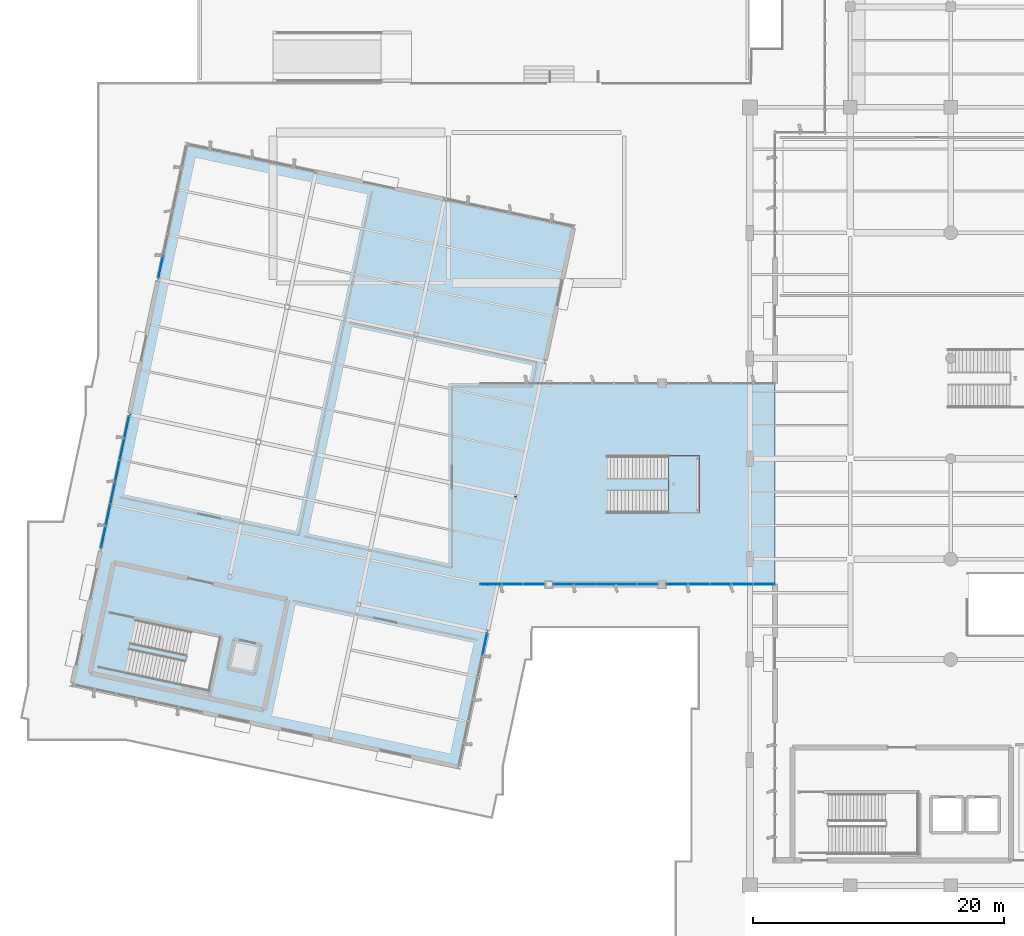
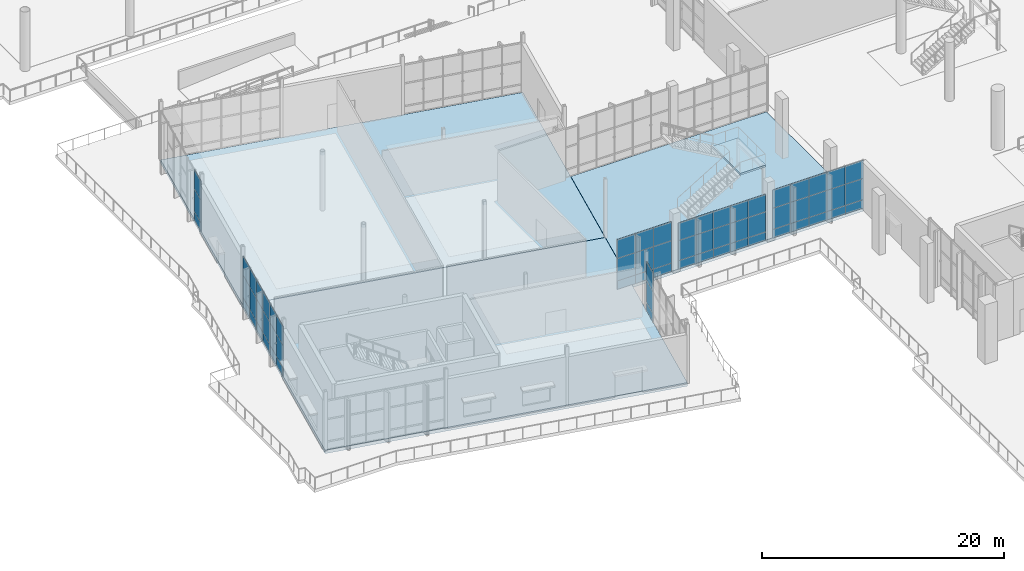
# One storey, part 111 of 163: 63 plates, 4 slabs, 7 elements without a shape of their own.
"""IFC4 building model written with IfcOpenShell, lengths in metres."""

from ifc_helpers import new_model, si_unit, direction, frame, origin, origin_2d, place, context, subcontext, project, spatial, polyline, rectangle, outline, extrude, material, layer, layer_set, type_object, element, aggregate, save


model = new_model("IFC4")

# Units and contexts
model_context = context("Model", 3, precision=1e-05, world=origin(), true_north=direction((0.0, 1.0)))
body_context = subcontext(model_context, "Body", "Model", "MODEL_VIEW")
ifc_project = project(units=[si_unit("LENGTHUNIT", "METRE"), si_unit("AREAUNIT", "SQUARE_METRE"), si_unit("VOLUMEUNIT", "CUBIC_METRE"), si_unit("PLANEANGLEUNIT", "RADIAN"), si_unit("MASSUNIT", "GRAM", prefix="KILO")], contexts=[model_context])

# Site, building, storey
site_placement = place(None, origin())
site = spatial("IfcSite", under=ifc_project, at=site_placement, CompositionType="ELEMENT")
building_placement = place(site_placement, origin())
building = spatial("IfcBuilding", under=site, at=building_placement, Name="Khorjan Park Terminus", CompositionType="ELEMENT")
storey_placement = place(building_placement, origin())
storey = spatial("IfcBuildingStorey", under=building, at=storey_placement, Name="L00", CompositionType="ELEMENT", Elevation=0.0)

# Curtain wall, plates
ifc_material_1 = material(Name="Anodized Bronze Aluminium", Category="aluminium")
ifc_layer_1 = layer(ifc_material_1, 0.22)
ifc_layer_set_1 = layer_set([ifc_layer_1], Name="Anodized Bronze Aluminium")
curtain_wall_type = type_object("IfcCurtainWallType", Name="CW-PAV-C", PredefinedType="NOTDEFINED", material=ifc_layer_set_1)
curtain_wall_1_placement = place(storey_placement, origin())
curtain_wall_1 = element("IfcCurtainWall", 1, at=curtain_wall_1_placement, inside=storey, type_object=curtain_wall_type, Name="Unitized curtain wall CW-C (CW-V4-W-L00-B03)", PredefinedType="NOTDEFINED")
ifc_material_2 = material(Name="Low-E Solar Control Double Glazing", Category="glass")
ifc_layer_2 = layer(ifc_material_2, 0.032)
ifc_layer_set_2 = layer_set([ifc_layer_2], Name="Low-E Solar Control Double Glazing")
plate_type_1 = type_object("IfcPlateType", Name="GL-VIS-32", PredefinedType="CURTAIN_PANEL", material=ifc_layer_set_2)
plate_1_placement = place(storey_placement, frame((-1.6391, 62.5164, 0.85), z_axis=(0.0, 0.0, 1.0), x_axis=(-0.207916776669, -0.978146519689, 0.0)))
plate_1 = element("IfcPlate", 2, at=plate_1_placement, type_object=plate_type_1, Name="Curtain-wall panel VP-32 (CW-V4-W-L00-B03-0-2)", PredefinedType="CURTAIN_PANEL", context=body_context, shape_type="SweptSolid", body=[
    extrude(rectangle(XDim=1.7899, YDim=0.032, at=origin_2d()), origin(), (0.0, 0.0, 1.0), 2.2593),
])
plate_2_placement = place(storey_placement, frame((-1.6391, 62.5164, 3.1092), z_axis=(0.0, 0.0, 1.0), x_axis=(-0.207916776669, -0.978146519689, 0.0)))
plate_2 = element("IfcPlate", 3, at=plate_2_placement, type_object=plate_type_1, Name="Curtain-wall panel VP-32 (CW-V4-W-L00-B03-0-3)", PredefinedType="CURTAIN_PANEL", context=body_context, shape_type="SweptSolid", body=[
    extrude(rectangle(XDim=1.7899, YDim=0.032, at=origin_2d()), origin(), (0.0, 0.0, 1.0), 1.9157),
])
plate_3_placement = place(storey_placement, frame((-2.0112, 60.7656, 0.85), z_axis=(0.0, 0.0, 1.0), x_axis=(-0.207916776669, -0.978146519689, 0.0)))
plate_3 = element("IfcPlate", 4, at=plate_3_placement, type_object=plate_type_1, Name="Curtain-wall panel VP-32 (CW-V4-W-L00-B03-1-2)", PredefinedType="CURTAIN_PANEL", context=body_context, shape_type="SweptSolid", body=[
    extrude(rectangle(XDim=1.7899, YDim=0.032, at=origin_2d()), origin(), (0.0, 0.0, 1.0), 2.2593),
])
plate_4_placement = place(storey_placement, frame((-2.0112, 60.7656, 3.1092), z_axis=(0.0, 0.0, 1.0), x_axis=(-0.207916776669, -0.978146519689, 0.0)))
plate_4 = element("IfcPlate", 5, at=plate_4_placement, type_object=plate_type_1, Name="Curtain-wall panel VP-32 (CW-V4-W-L00-B03-1-3)", PredefinedType="CURTAIN_PANEL", context=body_context, shape_type="SweptSolid", body=[
    extrude(rectangle(XDim=1.7899, YDim=0.032, at=origin_2d()), origin(), (0.0, 0.0, 1.0), 1.9157),
])
plate_5_placement = place(storey_placement, frame((-2.3834, 59.0148, 0.85), z_axis=(0.0, 0.0, 1.0), x_axis=(-0.207916776669, -0.978146519689, 0.0)))
plate_5 = element("IfcPlate", 6, at=plate_5_placement, type_object=plate_type_1, Name="Curtain-wall panel VP-32 (CW-V4-W-L00-B03-2-2)", PredefinedType="CURTAIN_PANEL", context=body_context, shape_type="SweptSolid", body=[
    extrude(rectangle(XDim=1.7899, YDim=0.032, at=origin_2d()), origin(), (0.0, 0.0, 1.0), 2.2593),
])
plate_6_placement = place(storey_placement, frame((-2.3834, 59.0148, 3.1092), z_axis=(0.0, 0.0, 1.0), x_axis=(-0.207916776669, -0.978146519689, 0.0)))
plate_6 = element("IfcPlate", 7, at=plate_6_placement, type_object=plate_type_1, Name="Curtain-wall panel VP-32 (CW-V4-W-L00-B03-2-3)", PredefinedType="CURTAIN_PANEL", context=body_context, shape_type="SweptSolid", body=[
    extrude(rectangle(XDim=1.7899, YDim=0.032, at=origin_2d()), origin(), (0.0, 0.0, 1.0), 1.9157),
])
plate_7_placement = place(storey_placement, frame((-2.7555, 57.264, 0.85), z_axis=(0.0, 0.0, 1.0), x_axis=(-0.207916776669, -0.978146519689, 0.0)))
plate_7 = element("IfcPlate", 8, at=plate_7_placement, type_object=plate_type_1, Name="Curtain-wall panel VP-32 (CW-V4-W-L00-B03-3-2)", PredefinedType="CURTAIN_PANEL", context=body_context, shape_type="SweptSolid", body=[
    extrude(rectangle(XDim=1.7899, YDim=0.032, at=origin_2d()), origin(), (0.0, 0.0, 1.0), 2.2593),
])
plate_8_placement = place(storey_placement, frame((-2.7555, 57.264, 3.1092), z_axis=(0.0, 0.0, 1.0), x_axis=(-0.207916776669, -0.978146519689, 0.0)))
plate_8 = element("IfcPlate", 9, at=plate_8_placement, type_object=plate_type_1, Name="Curtain-wall panel VP-32 (CW-V4-W-L00-B03-3-3)", PredefinedType="CURTAIN_PANEL", context=body_context, shape_type="SweptSolid", body=[
    extrude(rectangle(XDim=1.7899, YDim=0.032, at=origin_2d()), origin(), (0.0, 0.0, 1.0), 1.9157),
])
plate_9_placement = place(storey_placement, frame((-3.1277, 55.5133, 0.85), z_axis=(0.0, 0.0, 1.0), x_axis=(-0.207916776669, -0.978146519689, 0.0)))
plate_9 = element("IfcPlate", 10, at=plate_9_placement, type_object=plate_type_1, Name="Curtain-wall panel VP-32 (CW-V4-W-L00-B03-4-2)", PredefinedType="CURTAIN_PANEL", context=body_context, shape_type="SweptSolid", body=[
    extrude(rectangle(XDim=1.7899, YDim=0.032, at=origin_2d()), origin(), (0.0, 0.0, 1.0), 2.2593),
])
plate_10_placement = place(storey_placement, frame((-3.1277, 55.5133, 3.1092), z_axis=(0.0, 0.0, 1.0), x_axis=(-0.207916776669, -0.978146519689, 0.0)))
plate_10 = element("IfcPlate", 11, at=plate_10_placement, type_object=plate_type_1, Name="Curtain-wall panel VP-32 (CW-V4-W-L00-B03-4-3)", PredefinedType="CURTAIN_PANEL", context=body_context, shape_type="SweptSolid", body=[
    extrude(rectangle(XDim=1.7899, YDim=0.032, at=origin_2d()), origin(), (0.0, 0.0, 1.0), 1.9157),
])
plate_11_placement = place(storey_placement, frame((-3.4999, 53.7625, 0.85), z_axis=(0.0, 0.0, 1.0), x_axis=(-0.207916776669, -0.978146519689, 0.0)))
plate_11 = element("IfcPlate", 12, at=plate_11_placement, type_object=plate_type_1, Name="Curtain-wall panel VP-32 (CW-V4-W-L00-B03-5-2)", PredefinedType="CURTAIN_PANEL", context=body_context, shape_type="SweptSolid", body=[
    extrude(rectangle(XDim=1.7899, YDim=0.032, at=origin_2d()), origin(), (0.0, 0.0, 1.0), 2.2593),
])
plate_12_placement = place(storey_placement, frame((-3.4999, 53.7625, 3.1092), z_axis=(0.0, 0.0, 1.0), x_axis=(-0.207916776669, -0.978146519689, 0.0)))
plate_12 = element("IfcPlate", 13, at=plate_12_placement, type_object=plate_type_1, Name="Curtain-wall panel VP-32 (CW-V4-W-L00-B03-5-3)", PredefinedType="CURTAIN_PANEL", context=body_context, shape_type="SweptSolid", body=[
    extrude(rectangle(XDim=1.7899, YDim=0.032, at=origin_2d()), origin(), (0.0, 0.0, 1.0), 1.9157),
])

curtain_wall_2_placement = place(storey_placement, origin())
curtain_wall_2 = element("IfcCurtainWall", 14, at=curtain_wall_2_placement, inside=storey, type_object=curtain_wall_type, Name="Unitized curtain wall CW-C (CW-V4L-S-L00-1)", PredefinedType="NOTDEFINED")
ifc_material_3 = material(Name="Acoustic Laminated Solar Glazing", Category="glass")
ifc_layer_3 = layer(ifc_material_3, 0.036)
ifc_layer_set_3 = layer_set([ifc_layer_3], Name="Acoustic Laminated Solar Glazing")
plate_type_2 = type_object("IfcPlateType", Name="GL-VIS-36", PredefinedType="CURTAIN_PANEL", material=ifc_layer_set_3)
plate_13_placement = place(storey_placement, frame((27.3616, 50.0, 0.85), z_axis=(0.0, 0.0, 1.0), x_axis=(1.0, 0.0, 0.0)))
plate_13 = element("IfcPlate", 15, at=plate_13_placement, type_object=plate_type_2, Name="Curtain-wall panel VP-36 (CW-V4L-S-L00-1-0-2)", PredefinedType="CURTAIN_PANEL", context=body_context, shape_type="SweptSolid", body=[
    extrude(rectangle(XDim=1.7233, YDim=0.036, at=origin_2d()), origin(), (0.0, 0.0, 1.0), 2.2655),
])
plate_14_placement = place(storey_placement, frame((27.3616, 50.0, 3.1156), z_axis=(0.0, 0.0, 1.0), x_axis=(1.0, 0.0, 0.0)))
plate_14 = element("IfcPlate", 16, at=plate_14_placement, type_object=plate_type_2, Name="Curtain-wall panel VP-36 (CW-V4L-S-L00-1-0-3)", PredefinedType="CURTAIN_PANEL", context=body_context, shape_type="SweptSolid", body=[
    extrude(rectangle(XDim=1.7233, YDim=0.036, at=origin_2d()), origin(), (0.0, 0.0, 1.0), 1.9195),
])
plate_15_placement = place(storey_placement, frame((29.085, 50.0, 0.85), z_axis=(0.0, 0.0, 1.0), x_axis=(1.0, 0.0, 0.0)))
plate_15 = element("IfcPlate", 17, at=plate_15_placement, type_object=plate_type_2, Name="Curtain-wall panel VP-36 (CW-V4L-S-L00-1-1-2)", PredefinedType="CURTAIN_PANEL", context=body_context, shape_type="SweptSolid", body=[
    extrude(rectangle(XDim=1.7233, YDim=0.036, at=origin_2d()), origin(), (0.0, 0.0, 1.0), 2.2655),
])
plate_16_placement = place(storey_placement, frame((29.085, 50.0, 3.1156), z_axis=(0.0, 0.0, 1.0), x_axis=(1.0, 0.0, 0.0)))
plate_16 = element("IfcPlate", 18, at=plate_16_placement, type_object=plate_type_2, Name="Curtain-wall panel VP-36 (CW-V4L-S-L00-1-1-3)", PredefinedType="CURTAIN_PANEL", context=body_context, shape_type="SweptSolid", body=[
    extrude(rectangle(XDim=1.7233, YDim=0.036, at=origin_2d()), origin(), (0.0, 0.0, 1.0), 1.9195),
])
plate_17_placement = place(storey_placement, frame((30.8084, 50.0, 0.85), z_axis=(0.0, 0.0, 1.0), x_axis=(1.0, 0.0, 0.0)))
plate_17 = element("IfcPlate", 19, at=plate_17_placement, type_object=plate_type_2, Name="Curtain-wall panel VP-36 (CW-V4L-S-L00-1-2-2)", PredefinedType="CURTAIN_PANEL", context=body_context, shape_type="SweptSolid", body=[
    extrude(rectangle(XDim=1.7233, YDim=0.036, at=origin_2d()), origin(), (0.0, 0.0, 1.0), 2.2655),
])
plate_18_placement = place(storey_placement, frame((30.8084, 50.0, 3.1156), z_axis=(0.0, 0.0, 1.0), x_axis=(1.0, 0.0, 0.0)))
plate_18 = element("IfcPlate", 20, at=plate_18_placement, type_object=plate_type_2, Name="Curtain-wall panel VP-36 (CW-V4L-S-L00-1-2-3)", PredefinedType="CURTAIN_PANEL", context=body_context, shape_type="SweptSolid", body=[
    extrude(rectangle(XDim=1.7233, YDim=0.036, at=origin_2d()), origin(), (0.0, 0.0, 1.0), 1.9195),
])

curtain_wall_3_placement = place(storey_placement, origin())
curtain_wall_3 = element("IfcCurtainWall", 21, at=curtain_wall_3_placement, inside=storey, type_object=curtain_wall_type, Name="Unitized curtain wall CW-C (CW-V4L-S-L00-2)", PredefinedType="NOTDEFINED")
plate_19_placement = place(storey_placement, frame((33.164, 50.0, 0.85), z_axis=(0.0, 0.0, 1.0), x_axis=(1.0, 0.0, 0.0)))
plate_19 = element("IfcPlate", 22, at=plate_19_placement, type_object=plate_type_2, Name="Curtain-wall panel VP-36 (CW-V4L-S-L00-2-0-2)", PredefinedType="CURTAIN_PANEL", context=body_context, shape_type="SweptSolid", body=[
    extrude(rectangle(XDim=1.668, YDim=0.036, at=origin_2d()), origin(), (0.0, 0.0, 1.0), 2.0299),
])
plate_20_placement = place(storey_placement, frame((33.164, 50.0, 2.8798), z_axis=(0.0, 0.0, 1.0), x_axis=(1.0, 0.0, 0.0)))
plate_20 = element("IfcPlate", 23, at=plate_20_placement, type_object=plate_type_2, Name="Curtain-wall panel VP-36 (CW-V4L-S-L00-2-0-3)", PredefinedType="CURTAIN_PANEL", context=body_context, shape_type="SweptSolid", body=[
    extrude(rectangle(XDim=1.668, YDim=0.036, at=origin_2d()), origin(), (0.0, 0.0, 1.0), 1.7751),
])
plate_21_placement = place(storey_placement, frame((34.832, 50.0, 0.85), z_axis=(0.0, 0.0, 1.0), x_axis=(1.0, 0.0, 0.0)))
plate_21 = element("IfcPlate", 24, at=plate_21_placement, type_object=plate_type_2, Name="Curtain-wall panel VP-36 (CW-V4L-S-L00-2-1-2)", PredefinedType="CURTAIN_PANEL", context=body_context, shape_type="SweptSolid", body=[
    extrude(rectangle(XDim=1.668, YDim=0.036, at=origin_2d()), origin(), (0.0, 0.0, 1.0), 2.0299),
])
plate_22_placement = place(storey_placement, frame((34.832, 50.0, 2.8798), z_axis=(0.0, 0.0, 1.0), x_axis=(1.0, 0.0, 0.0)))
plate_22 = element("IfcPlate", 25, at=plate_22_placement, type_object=plate_type_2, Name="Curtain-wall panel VP-36 (CW-V4L-S-L00-2-1-3)", PredefinedType="CURTAIN_PANEL", context=body_context, shape_type="SweptSolid", body=[
    extrude(rectangle(XDim=1.668, YDim=0.036, at=origin_2d()), origin(), (0.0, 0.0, 1.0), 1.7751),
])
plate_23_placement = place(storey_placement, frame((36.5, 50.0, 0.85), z_axis=(0.0, 0.0, 1.0), x_axis=(1.0, 0.0, 0.0)))
plate_23 = element("IfcPlate", 26, at=plate_23_placement, type_object=plate_type_2, Name="Curtain-wall panel VP-36 (CW-V4L-S-L00-2-2-2)", PredefinedType="CURTAIN_PANEL", context=body_context, shape_type="SweptSolid", body=[
    extrude(rectangle(XDim=1.668, YDim=0.036, at=origin_2d()), origin(), (0.0, 0.0, 1.0), 2.0299),
])
plate_24_placement = place(storey_placement, frame((36.5, 50.0, 2.8798), z_axis=(0.0, 0.0, 1.0), x_axis=(1.0, 0.0, 0.0)))
plate_24 = element("IfcPlate", 27, at=plate_24_placement, type_object=plate_type_2, Name="Curtain-wall panel VP-36 (CW-V4L-S-L00-2-2-3)", PredefinedType="CURTAIN_PANEL", context=body_context, shape_type="SweptSolid", body=[
    extrude(rectangle(XDim=1.668, YDim=0.036, at=origin_2d()), origin(), (0.0, 0.0, 1.0), 1.7751),
])
plate_25_placement = place(storey_placement, frame((38.168, 50.0, 0.85), z_axis=(0.0, 0.0, 1.0), x_axis=(1.0, 0.0, 0.0)))
plate_25 = element("IfcPlate", 28, at=plate_25_placement, type_object=plate_type_2, Name="Curtain-wall panel VP-36 (CW-V4L-S-L00-2-3-2)", PredefinedType="CURTAIN_PANEL", context=body_context, shape_type="SweptSolid", body=[
    extrude(rectangle(XDim=1.668, YDim=0.036, at=origin_2d()), origin(), (0.0, 0.0, 1.0), 2.0299),
])
plate_26_placement = place(storey_placement, frame((38.168, 50.0, 2.8798), z_axis=(0.0, 0.0, 1.0), x_axis=(1.0, 0.0, 0.0)))
plate_26 = element("IfcPlate", 29, at=plate_26_placement, type_object=plate_type_2, Name="Curtain-wall panel VP-36 (CW-V4L-S-L00-2-3-3)", PredefinedType="CURTAIN_PANEL", context=body_context, shape_type="SweptSolid", body=[
    extrude(rectangle(XDim=1.668, YDim=0.036, at=origin_2d()), origin(), (0.0, 0.0, 1.0), 1.7751),
])
plate_27_placement = place(storey_placement, frame((39.836, 50.0, 0.85), z_axis=(0.0, 0.0, 1.0), x_axis=(1.0, 0.0, 0.0)))
plate_27 = element("IfcPlate", 30, at=plate_27_placement, type_object=plate_type_2, Name="Curtain-wall panel VP-36 (CW-V4L-S-L00-2-4-2)", PredefinedType="CURTAIN_PANEL", context=body_context, shape_type="SweptSolid", body=[
    extrude(rectangle(XDim=1.668, YDim=0.036, at=origin_2d()), origin(), (0.0, 0.0, 1.0), 2.0299),
])
plate_28_placement = place(storey_placement, frame((39.836, 50.0, 2.8798), z_axis=(0.0, 0.0, 1.0), x_axis=(1.0, 0.0, 0.0)))
plate_28 = element("IfcPlate", 31, at=plate_28_placement, type_object=plate_type_2, Name="Curtain-wall panel VP-36 (CW-V4L-S-L00-2-4-3)", PredefinedType="CURTAIN_PANEL", context=body_context, shape_type="SweptSolid", body=[
    extrude(rectangle(XDim=1.668, YDim=0.036, at=origin_2d()), origin(), (0.0, 0.0, 1.0), 1.7751),
])

curtain_wall_4_placement = place(storey_placement, origin())
curtain_wall_4 = element("IfcCurtainWall", 32, at=curtain_wall_4_placement, inside=storey, type_object=curtain_wall_type, Name="Unitized curtain wall CW-C (CW-V4L-S-L00-3)", PredefinedType="NOTDEFINED")
plate_29_placement = place(storey_placement, frame((42.197, 50.0, 0.8499), z_axis=(0.0, 0.0, 1.0), x_axis=(1.0, 0.0, 0.0)))
plate_29 = element("IfcPlate", 33, at=plate_29_placement, type_object=plate_type_2, Name="Curtain-wall panel VP-36 (CW-V4L-S-L00-3-0-2)", PredefinedType="CURTAIN_PANEL", context=body_context, shape_type="SweptSolid", body=[
    extrude(rectangle(XDim=1.734, YDim=0.036, at=origin_2d()), origin(), (0.0, 0.0, 1.0), 2.1415),
])
plate_30_placement = place(storey_placement, frame((42.197, 50.0, 2.9914), z_axis=(0.0, 0.0, 1.0), x_axis=(1.0, 0.0, 0.0)))
plate_30 = element("IfcPlate", 34, at=plate_30_placement, type_object=plate_type_2, Name="Curtain-wall panel VP-36 (CW-V4L-S-L00-3-0-3)", PredefinedType="CURTAIN_PANEL", context=body_context, shape_type="SweptSolid", body=[
    extrude(rectangle(XDim=1.734, YDim=0.036, at=origin_2d()), origin(), (0.0, 0.0, 1.0), 1.8435),
])
plate_31_placement = place(storey_placement, frame((43.931, 50.0, 0.8499), z_axis=(0.0, 0.0, 1.0), x_axis=(1.0, 0.0, 0.0)))
plate_31 = element("IfcPlate", 35, at=plate_31_placement, type_object=plate_type_2, Name="Curtain-wall panel VP-36 (CW-V4L-S-L00-3-1-2)", PredefinedType="CURTAIN_PANEL", context=body_context, shape_type="SweptSolid", body=[
    extrude(rectangle(XDim=1.734, YDim=0.036, at=origin_2d()), origin(), (0.0, 0.0, 1.0), 2.1415),
])
plate_32_placement = place(storey_placement, frame((43.931, 50.0, 2.9914), z_axis=(0.0, 0.0, 1.0), x_axis=(1.0, 0.0, 0.0)))
plate_32 = element("IfcPlate", 36, at=plate_32_placement, type_object=plate_type_2, Name="Curtain-wall panel VP-36 (CW-V4L-S-L00-3-1-3)", PredefinedType="CURTAIN_PANEL", context=body_context, shape_type="SweptSolid", body=[
    extrude(rectangle(XDim=1.734, YDim=0.036, at=origin_2d()), origin(), (0.0, 0.0, 1.0), 1.8435),
])
plate_33_placement = place(storey_placement, frame((45.665, 50.0, 0.8499), z_axis=(0.0, 0.0, 1.0), x_axis=(1.0, 0.0, 0.0)))
plate_33 = element("IfcPlate", 37, at=plate_33_placement, type_object=plate_type_2, Name="Curtain-wall panel VP-36 (CW-V4L-S-L00-3-2-2)", PredefinedType="CURTAIN_PANEL", context=body_context, shape_type="SweptSolid", body=[
    extrude(rectangle(XDim=1.734, YDim=0.036, at=origin_2d()), origin(), (0.0, 0.0, 1.0), 2.1415),
])
plate_34_placement = place(storey_placement, frame((45.665, 50.0, 2.9914), z_axis=(0.0, 0.0, 1.0), x_axis=(1.0, 0.0, 0.0)))
plate_34 = element("IfcPlate", 38, at=plate_34_placement, type_object=plate_type_2, Name="Curtain-wall panel VP-36 (CW-V4L-S-L00-3-2-3)", PredefinedType="CURTAIN_PANEL", context=body_context, shape_type="SweptSolid", body=[
    extrude(rectangle(XDim=1.734, YDim=0.036, at=origin_2d()), origin(), (0.0, 0.0, 1.0), 1.8435),
])
plate_35_placement = place(storey_placement, frame((47.399, 50.0, 0.8499), z_axis=(0.0, 0.0, 1.0), x_axis=(1.0, 0.0, 0.0)))
plate_35 = element("IfcPlate", 39, at=plate_35_placement, type_object=plate_type_2, Name="Curtain-wall panel VP-36 (CW-V4L-S-L00-3-3-2)", PredefinedType="CURTAIN_PANEL", context=body_context, shape_type="SweptSolid", body=[
    extrude(rectangle(XDim=1.734, YDim=0.036, at=origin_2d()), origin(), (0.0, 0.0, 1.0), 2.1415),
])
plate_36_placement = place(storey_placement, frame((47.399, 50.0, 2.9914), z_axis=(0.0, 0.0, 1.0), x_axis=(1.0, 0.0, 0.0)))
plate_36 = element("IfcPlate", 40, at=plate_36_placement, type_object=plate_type_2, Name="Curtain-wall panel VP-36 (CW-V4L-S-L00-3-3-3)", PredefinedType="CURTAIN_PANEL", context=body_context, shape_type="SweptSolid", body=[
    extrude(rectangle(XDim=1.734, YDim=0.036, at=origin_2d()), origin(), (0.0, 0.0, 1.0), 1.8435),
])
plate_37_placement = place(storey_placement, frame((49.133, 50.0, 0.8499), z_axis=(0.0, 0.0, 1.0), x_axis=(1.0, 0.0, 0.0)))
plate_37 = element("IfcPlate", 41, at=plate_37_placement, type_object=plate_type_2, Name="Curtain-wall panel VP-36 (CW-V4L-S-L00-3-4-2)", PredefinedType="CURTAIN_PANEL", context=body_context, shape_type="SweptSolid", body=[
    extrude(rectangle(XDim=1.734, YDim=0.036, at=origin_2d()), origin(), (0.0, 0.0, 1.0), 2.1415),
])
plate_38_placement = place(storey_placement, frame((49.133, 50.0, 2.9914), z_axis=(0.0, 0.0, 1.0), x_axis=(1.0, 0.0, 0.0)))
plate_38 = element("IfcPlate", 42, at=plate_38_placement, type_object=plate_type_2, Name="Curtain-wall panel VP-36 (CW-V4L-S-L00-3-4-3)", PredefinedType="CURTAIN_PANEL", context=body_context, shape_type="SweptSolid", body=[
    extrude(rectangle(XDim=1.734, YDim=0.036, at=origin_2d()), origin(), (0.0, 0.0, 1.0), 1.8435),
])

curtain_wall_5_placement = place(storey_placement, origin())
curtain_wall_5 = element("IfcCurtainWall", 43, at=curtain_wall_5_placement, inside=storey, type_object=curtain_wall_type, Name="Unitized curtain wall CW-C (CW-V4-E-L00-B01)", PredefinedType="NOTDEFINED")
plate_39_placement = place(storey_placement, frame((26.8855, 45.2075, 0.8499), z_axis=(0.0, 0.0, 1.0), x_axis=(0.207916776669, 0.978146519689, 0.0)))
plate_39 = element("IfcPlate", 44, at=plate_39_placement, type_object=plate_type_2, Name="Curtain-wall panel VP-36 (CW-V4-E-L00-B01-5-2)", PredefinedType="CURTAIN_PANEL", context=body_context, shape_type="SweptSolid", body=[
    extrude(rectangle(XDim=1.7899, YDim=0.036, at=origin_2d()), origin(), (0.0, 0.0, 1.0), 2.2345),
])
plate_40_placement = place(storey_placement, frame((26.8855, 45.2075, 3.0844), z_axis=(0.0, 0.0, 1.0), x_axis=(0.207916776669, 0.978146519689, 0.0)))
plate_40 = element("IfcPlate", 45, at=plate_40_placement, type_object=plate_type_2, Name="Curtain-wall panel VP-36 (CW-V4-E-L00-B01-5-3)", PredefinedType="CURTAIN_PANEL", context=body_context, shape_type="SweptSolid", body=[
    extrude(rectangle(XDim=1.7899, YDim=0.036, at=origin_2d()), origin(), (0.0, 0.0, 1.0), 1.9005),
])

curtain_wall_6_placement = place(storey_placement, origin())
curtain_wall_6 = element("IfcCurtainWall", 46, at=curtain_wall_6_placement, inside=storey, type_object=curtain_wall_type, Name="Unitized curtain wall CW-C (CW-V4-W-L00-B01)", PredefinedType="NOTDEFINED")
plate_41_placement = place(storey_placement, frame((1.0742, 75.2815, 0.85), z_axis=(0.0, 0.0, 1.0), x_axis=(-0.207916776669, -0.978146519689, 0.0)))
plate_41 = element("IfcPlate", 47, at=plate_41_placement, type_object=plate_type_2, Name="Curtain-wall panel VP-36 (CW-V4-W-L00-B01-5-2)", PredefinedType="CURTAIN_PANEL", context=body_context, shape_type="SweptSolid", body=[
    extrude(rectangle(XDim=1.7899, YDim=0.036, at=origin_2d()), origin(), (0.0, 0.0, 1.0), 2.2903),
])
plate_42_placement = place(storey_placement, frame((1.0742, 75.2815, 3.1402), z_axis=(0.0, 0.0, 1.0), x_axis=(-0.207916776669, -0.978146519689, 0.0)))
plate_42 = element("IfcPlate", 48, at=plate_42_placement, type_object=plate_type_2, Name="Curtain-wall panel VP-36 (CW-V4-W-L00-B01-5-3)", PredefinedType="CURTAIN_PANEL", context=body_context, shape_type="SweptSolid", body=[
    extrude(rectangle(XDim=1.7899, YDim=0.036, at=origin_2d()), origin(), (0.0, 0.0, 1.0), 1.9347),
])

# Slabs
ifc_material_4 = material(Name="Concrete C40/50", Category="concrete")
ifc_layer_4 = layer(ifc_material_4, 0.34)
ifc_layer_set_4 = layer_set([ifc_layer_4], Name="Concrete C40/50")
slab_type_1 = type_object("IfcSlabType", Name="SL-FLR-340", PredefinedType="FLOOR", material=ifc_layer_set_4)
slab_1_placement = place(storey_placement, frame((0.0, 0.0, -0.34)))
element("IfcSlab", 49, at=slab_1_placement, inside=storey, type_object=slab_type_1, Name="Structural floor slab FS-34 (L00-V4-N)", PredefinedType="FLOOR", context=body_context, shape_type="SweptSolid", body=[
    extrude(outline(polyline([(3.1481, 85.0385), (33.9598, 78.4893), (29.3857, 56.97), (-1.4259, 63.5192), (3.1481, 85.0385)])), origin(), (0.0, 0.0, 1.0), 0.34),
])
slab_2_placement = place(storey_placement, frame((0.0, 0.0, -0.34)))
element("IfcSlab", 50, at=slab_2_placement, inside=storey, type_object=slab_type_1, Name="Structural floor slab FS-34 (L00-V4-LNK)", PredefinedType="FLOOR", context=body_context, shape_type="SweptSolid", body=[
    extrude(outline(polyline([(50.0, 50.0), (27.9144, 50.0), (31.3153, 66.0), (50.0, 66.0), (50.0, 50.0)])), origin(), (0.0, 0.0, 1.0), 0.34),
])
ifc_layer_5 = layer(ifc_material_4, 0.36)
ifc_layer_set_5 = layer_set([ifc_layer_5], Name="Concrete C40/50")
slab_type_2 = type_object("IfcSlabType", Name="SL-FLR-360", PredefinedType="FLOOR", material=ifc_layer_set_5)
slab_3_placement = place(storey_placement, frame((0.0, 0.0, -0.36)))
element("IfcSlab", 51, at=slab_3_placement, inside=storey, type_object=slab_type_2, Name="Structural floor slab FS-36 (L00-V4-S)", PredefinedType="FLOOR", context=body_context, shape_type="SweptSolid", body=[
    extrude(outline(polyline([(-1.4259, 63.5192), (29.3857, 56.97), (24.8116, 35.4508), (-6.0, 42.0), (-1.4259, 63.5192)])), origin(), (0.0, 0.0, 1.0), 0.36),
])

# Stair, slab
stair_type = type_object("IfcStairType", Name="STR-PUB-190", PredefinedType="HALF_TURN_STAIR", material=ifc_material_4)
stair_placement = place(storey_placement, origin())
stair = element("IfcStair", 52, at=stair_placement, inside=storey, type_object=stair_type, Name="Public passenger half-turn stair PVS-01", PredefinedType="HALF_TURN_STAIR")
ifc_layer_6 = layer(ifc_material_4, 0.2)
ifc_layer_set_6 = layer_set([ifc_layer_6], Name="Concrete C40/50")
slab_type_3 = type_object("IfcSlabType", Name="SL-LND-200", PredefinedType="LANDING", material=ifc_layer_set_6)
slab_4_placement = place(storey_placement, frame((0.0, 0.0, 2.8)))
slab_4 = element("IfcSlab", 53, at=slab_4_placement, type_object=slab_type_3, Name="Stair PVS-01 intermediate half-landing LS-20", PredefinedType="LANDING", context=body_context, shape_type="SweptSolid", body=[
    extrude(outline(polyline([(41.515, 55.66), (43.98, 55.66), (43.98, 60.24), (41.515, 60.24), (41.515, 55.66)])), origin(), (0.0, 0.0, 1.0), 0.2),
])
aggregate(stair, [slab_4])

# Plate
ifc_material_5 = material(Name="Insulated Anodized Bronze Spandrel Panel")
ifc_layer_7 = layer(ifc_material_5, 0.045)
ifc_layer_set_7 = layer_set([ifc_layer_7], Name="Insulated Anodized Bronze Spandrel Panel")
plate_type_3 = type_object("IfcPlateType", Name="SP-AL-45", PredefinedType="CURTAIN_PANEL", material=ifc_layer_set_7)
plate_43_placement = place(storey_placement, frame((27.3616, 50.0, -0.01), z_axis=(0.0, 0.0, 1.0), x_axis=(1.0, 0.0, 0.0)))
plate_43 = element("IfcPlate", 54, at=plate_43_placement, type_object=plate_type_3, Name="Curtain-wall panel SP-A45 (CW-V4L-S-L00-1-0-1)", PredefinedType="CURTAIN_PANEL", context=body_context, shape_type="SweptSolid", body=[
    extrude(rectangle(XDim=1.7233, YDim=0.045, at=origin_2d()), origin(), (0.0, 0.0, 1.0), 0.86),
])

plate_44_placement = place(storey_placement, frame((29.085, 50.0, -0.01), z_axis=(0.0, 0.0, 1.0), x_axis=(1.0, 0.0, 0.0)))
plate_44 = element("IfcPlate", 55, at=plate_44_placement, type_object=plate_type_3, Name="Curtain-wall panel SP-A45 (CW-V4L-S-L00-1-1-1)", PredefinedType="CURTAIN_PANEL", context=body_context, shape_type="SweptSolid", body=[
    extrude(rectangle(XDim=1.7233, YDim=0.045, at=origin_2d()), origin(), (0.0, 0.0, 1.0), 0.86),
])

plate_45_placement = place(storey_placement, frame((30.8084, 50.0, -0.01), z_axis=(0.0, 0.0, 1.0), x_axis=(1.0, 0.0, 0.0)))
plate_45 = element("IfcPlate", 56, at=plate_45_placement, type_object=plate_type_3, Name="Curtain-wall panel SP-A45 (CW-V4L-S-L00-1-2-1)", PredefinedType="CURTAIN_PANEL", context=body_context, shape_type="SweptSolid", body=[
    extrude(rectangle(XDim=1.7233, YDim=0.045, at=origin_2d()), origin(), (0.0, 0.0, 1.0), 0.86),
])

aggregate(curtain_wall_2, [plate_43, plate_13, plate_14, plate_44, plate_15, plate_16, plate_45, plate_17, plate_18])

plate_46_placement = place(storey_placement, frame((33.164, 50.0, -0.01), z_axis=(0.0, 0.0, 1.0), x_axis=(1.0, 0.0, 0.0)))
plate_46 = element("IfcPlate", 57, at=plate_46_placement, type_object=plate_type_3, Name="Curtain-wall panel SP-A45 (CW-V4L-S-L00-2-0-1)", PredefinedType="CURTAIN_PANEL", context=body_context, shape_type="SweptSolid", body=[
    extrude(rectangle(XDim=1.668, YDim=0.045, at=origin_2d()), origin(), (0.0, 0.0, 1.0), 0.86),
])

plate_47_placement = place(storey_placement, frame((34.832, 50.0, -0.01), z_axis=(0.0, 0.0, 1.0), x_axis=(1.0, 0.0, 0.0)))
plate_47 = element("IfcPlate", 58, at=plate_47_placement, type_object=plate_type_3, Name="Curtain-wall panel SP-A45 (CW-V4L-S-L00-2-1-1)", PredefinedType="CURTAIN_PANEL", context=body_context, shape_type="SweptSolid", body=[
    extrude(rectangle(XDim=1.668, YDim=0.045, at=origin_2d()), origin(), (0.0, 0.0, 1.0), 0.86),
])

plate_48_placement = place(storey_placement, frame((36.5, 50.0, -0.01), z_axis=(0.0, 0.0, 1.0), x_axis=(1.0, 0.0, 0.0)))
plate_48 = element("IfcPlate", 59, at=plate_48_placement, type_object=plate_type_3, Name="Curtain-wall panel SP-A45 (CW-V4L-S-L00-2-2-1)", PredefinedType="CURTAIN_PANEL", context=body_context, shape_type="SweptSolid", body=[
    extrude(rectangle(XDim=1.668, YDim=0.045, at=origin_2d()), origin(), (0.0, 0.0, 1.0), 0.86),
])

plate_49_placement = place(storey_placement, frame((38.168, 50.0, -0.01), z_axis=(0.0, 0.0, 1.0), x_axis=(1.0, 0.0, 0.0)))
plate_49 = element("IfcPlate", 60, at=plate_49_placement, type_object=plate_type_3, Name="Curtain-wall panel SP-A45 (CW-V4L-S-L00-2-3-1)", PredefinedType="CURTAIN_PANEL", context=body_context, shape_type="SweptSolid", body=[
    extrude(rectangle(XDim=1.668, YDim=0.045, at=origin_2d()), origin(), (0.0, 0.0, 1.0), 0.86),
])

plate_50_placement = place(storey_placement, frame((39.836, 50.0, -0.01), z_axis=(0.0, 0.0, 1.0), x_axis=(1.0, 0.0, 0.0)))
plate_50 = element("IfcPlate", 61, at=plate_50_placement, type_object=plate_type_3, Name="Curtain-wall panel SP-A45 (CW-V4L-S-L00-2-4-1)", PredefinedType="CURTAIN_PANEL", context=body_context, shape_type="SweptSolid", body=[
    extrude(rectangle(XDim=1.668, YDim=0.045, at=origin_2d()), origin(), (0.0, 0.0, 1.0), 0.86),
])

aggregate(curtain_wall_3, [plate_46, plate_19, plate_20, plate_47, plate_21, plate_22, plate_48, plate_23, plate_24, plate_49, plate_25, plate_26, plate_50, plate_27, plate_28])

plate_51_placement = place(storey_placement, frame((42.197, 50.0, -0.01), z_axis=(0.0, 0.0, 1.0), x_axis=(1.0, 0.0, 0.0)))
plate_51 = element("IfcPlate", 62, at=plate_51_placement, type_object=plate_type_3, Name="Curtain-wall panel SP-A45 (CW-V4L-S-L00-3-0-1)", PredefinedType="CURTAIN_PANEL", context=body_context, shape_type="SweptSolid", body=[
    extrude(rectangle(XDim=1.734, YDim=0.045, at=origin_2d()), origin(), (0.0, 0.0, 1.0), 0.86),
])

plate_52_placement = place(storey_placement, frame((43.931, 50.0, -0.01), z_axis=(0.0, 0.0, 1.0), x_axis=(1.0, 0.0, 0.0)))
plate_52 = element("IfcPlate", 63, at=plate_52_placement, type_object=plate_type_3, Name="Curtain-wall panel SP-A45 (CW-V4L-S-L00-3-1-1)", PredefinedType="CURTAIN_PANEL", context=body_context, shape_type="SweptSolid", body=[
    extrude(rectangle(XDim=1.734, YDim=0.045, at=origin_2d()), origin(), (0.0, 0.0, 1.0), 0.86),
])

plate_53_placement = place(storey_placement, frame((45.665, 50.0, -0.01), z_axis=(0.0, 0.0, 1.0), x_axis=(1.0, 0.0, 0.0)))
plate_53 = element("IfcPlate", 64, at=plate_53_placement, type_object=plate_type_3, Name="Curtain-wall panel SP-A45 (CW-V4L-S-L00-3-2-1)", PredefinedType="CURTAIN_PANEL", context=body_context, shape_type="SweptSolid", body=[
    extrude(rectangle(XDim=1.734, YDim=0.045, at=origin_2d()), origin(), (0.0, 0.0, 1.0), 0.86),
])

plate_54_placement = place(storey_placement, frame((47.399, 50.0, -0.01), z_axis=(0.0, 0.0, 1.0), x_axis=(1.0, 0.0, 0.0)))
plate_54 = element("IfcPlate", 65, at=plate_54_placement, type_object=plate_type_3, Name="Curtain-wall panel SP-A45 (CW-V4L-S-L00-3-3-1)", PredefinedType="CURTAIN_PANEL", context=body_context, shape_type="SweptSolid", body=[
    extrude(rectangle(XDim=1.734, YDim=0.045, at=origin_2d()), origin(), (0.0, 0.0, 1.0), 0.86),
])

plate_55_placement = place(storey_placement, frame((49.133, 50.0, -0.01), z_axis=(0.0, 0.0, 1.0), x_axis=(1.0, 0.0, 0.0)))
plate_55 = element("IfcPlate", 66, at=plate_55_placement, type_object=plate_type_3, Name="Curtain-wall panel SP-A45 (CW-V4L-S-L00-3-4-1)", PredefinedType="CURTAIN_PANEL", context=body_context, shape_type="SweptSolid", body=[
    extrude(rectangle(XDim=1.734, YDim=0.045, at=origin_2d()), origin(), (0.0, 0.0, 1.0), 0.86),
])

aggregate(curtain_wall_4, [plate_51, plate_29, plate_30, plate_52, plate_31, plate_32, plate_53, plate_33, plate_34, plate_54, plate_35, plate_36, plate_55, plate_37, plate_38])

plate_56_placement = place(storey_placement, frame((26.8855, 45.2075, -0.01), z_axis=(0.0, 0.0, 1.0), x_axis=(0.207916776669, 0.978146519689, 0.0)))
plate_56 = element("IfcPlate", 67, at=plate_56_placement, type_object=plate_type_3, Name="Curtain-wall panel SP-A45 (CW-V4-E-L00-B01-5-1)", PredefinedType="CURTAIN_PANEL", context=body_context, shape_type="SweptSolid", body=[
    extrude(rectangle(XDim=1.7899, YDim=0.045, at=origin_2d()), origin(), (0.0, 0.0, 1.0), 0.86),
])

aggregate(curtain_wall_5, [plate_56, plate_39, plate_40])

plate_57_placement = place(storey_placement, frame((1.0742, 75.2815, -0.01), z_axis=(0.0, 0.0, 1.0), x_axis=(-0.207916776669, -0.978146519689, 0.0)))
plate_57 = element("IfcPlate", 68, at=plate_57_placement, type_object=plate_type_3, Name="Curtain-wall panel SP-A45 (CW-V4-W-L00-B01-5-1)", PredefinedType="CURTAIN_PANEL", context=body_context, shape_type="SweptSolid", body=[
    extrude(rectangle(XDim=1.7899, YDim=0.045, at=origin_2d()), origin(), (0.0, 0.0, 1.0), 0.86),
])

aggregate(curtain_wall_6, [plate_57, plate_41, plate_42])

plate_58_placement = place(storey_placement, frame((-1.6391, 62.5164, -0.01), z_axis=(0.0, 0.0, 1.0), x_axis=(-0.207916776669, -0.978146519689, 0.0)))
plate_58 = element("IfcPlate", 69, at=plate_58_placement, type_object=plate_type_3, Name="Curtain-wall panel SP-A45 (CW-V4-W-L00-B03-0-1)", PredefinedType="CURTAIN_PANEL", context=body_context, shape_type="SweptSolid", body=[
    extrude(rectangle(XDim=1.7899, YDim=0.045, at=origin_2d()), origin(), (0.0, 0.0, 1.0), 0.86),
])

plate_59_placement = place(storey_placement, frame((-2.0112, 60.7656, -0.01), z_axis=(0.0, 0.0, 1.0), x_axis=(-0.207916776669, -0.978146519689, 0.0)))
plate_59 = element("IfcPlate", 70, at=plate_59_placement, type_object=plate_type_3, Name="Curtain-wall panel SP-A45 (CW-V4-W-L00-B03-1-1)", PredefinedType="CURTAIN_PANEL", context=body_context, shape_type="SweptSolid", body=[
    extrude(rectangle(XDim=1.7899, YDim=0.045, at=origin_2d()), origin(), (0.0, 0.0, 1.0), 0.86),
])

plate_60_placement = place(storey_placement, frame((-2.3834, 59.0148, -0.01), z_axis=(0.0, 0.0, 1.0), x_axis=(-0.207916776669, -0.978146519689, 0.0)))
plate_60 = element("IfcPlate", 71, at=plate_60_placement, type_object=plate_type_3, Name="Curtain-wall panel SP-A45 (CW-V4-W-L00-B03-2-1)", PredefinedType="CURTAIN_PANEL", context=body_context, shape_type="SweptSolid", body=[
    extrude(rectangle(XDim=1.7899, YDim=0.045, at=origin_2d()), origin(), (0.0, 0.0, 1.0), 0.86),
])

plate_61_placement = place(storey_placement, frame((-2.7555, 57.264, -0.01), z_axis=(0.0, 0.0, 1.0), x_axis=(-0.207916776669, -0.978146519689, 0.0)))
plate_61 = element("IfcPlate", 72, at=plate_61_placement, type_object=plate_type_3, Name="Curtain-wall panel SP-A45 (CW-V4-W-L00-B03-3-1)", PredefinedType="CURTAIN_PANEL", context=body_context, shape_type="SweptSolid", body=[
    extrude(rectangle(XDim=1.7899, YDim=0.045, at=origin_2d()), origin(), (0.0, 0.0, 1.0), 0.86),
])

plate_62_placement = place(storey_placement, frame((-3.1277, 55.5133, -0.01), z_axis=(0.0, 0.0, 1.0), x_axis=(-0.207916776669, -0.978146519689, 0.0)))
plate_62 = element("IfcPlate", 73, at=plate_62_placement, type_object=plate_type_3, Name="Curtain-wall panel SP-A45 (CW-V4-W-L00-B03-4-1)", PredefinedType="CURTAIN_PANEL", context=body_context, shape_type="SweptSolid", body=[
    extrude(rectangle(XDim=1.7899, YDim=0.045, at=origin_2d()), origin(), (0.0, 0.0, 1.0), 0.86),
])

plate_63_placement = place(storey_placement, frame((-3.4999, 53.7625, -0.01), z_axis=(0.0, 0.0, 1.0), x_axis=(-0.207916776669, -0.978146519689, 0.0)))
plate_63 = element("IfcPlate", 74, at=plate_63_placement, type_object=plate_type_3, Name="Curtain-wall panel SP-A45 (CW-V4-W-L00-B03-5-1)", PredefinedType="CURTAIN_PANEL", context=body_context, shape_type="SweptSolid", body=[
    extrude(rectangle(XDim=1.7899, YDim=0.045, at=origin_2d()), origin(), (0.0, 0.0, 1.0), 0.86),
])

aggregate(curtain_wall_1, [plate_58, plate_1, plate_2, plate_59, plate_3, plate_4, plate_60, plate_5, plate_6, plate_61, plate_7, plate_8, plate_62, plate_9, plate_10, plate_63, plate_11, plate_12])

save(model, "model.ifc")
